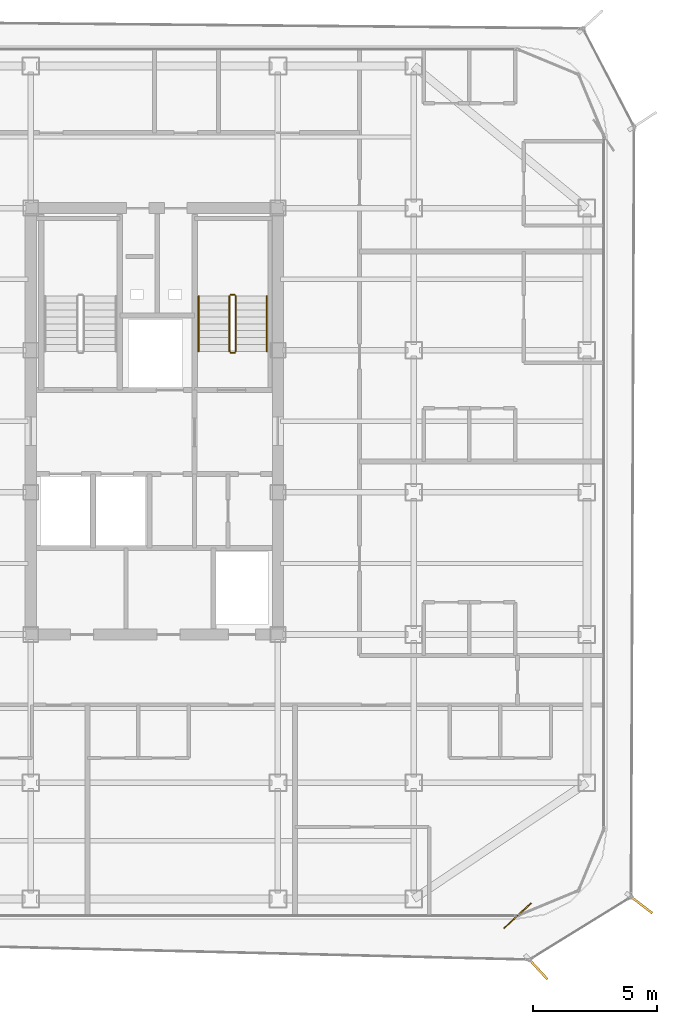
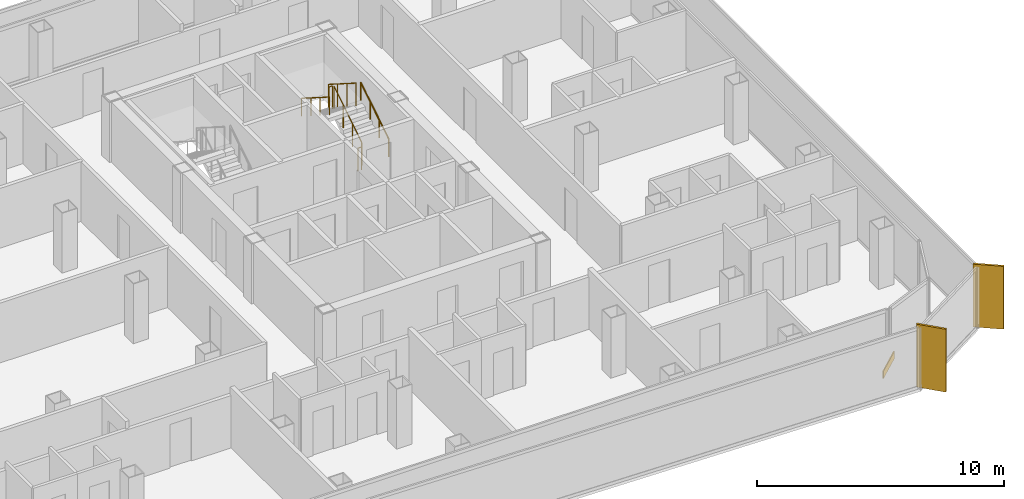
# One storey, part 14 of 15: 6 railings, 2 shading devices, 1 covering.
"""IFC4 building model written with IfcOpenShell, lengths in metres."""

from ifc_helpers import new_model, si_unit, direction, frame, origin, origin_2d, place, context, subcontext, project, spatial, rectangle, circle, extrude, source, transform, mapped, material, layer, layer_set, type_object, element, save


model = new_model("IFC4")

# Units and contexts
model_context = context("Model", 3, precision=1e-05, world=origin(), true_north=direction((0.0, 1.0)))
body_context = subcontext(model_context, "Body", "Model", "MODEL_VIEW")
ifc_project = project(units=[si_unit("LENGTHUNIT", "METRE"), si_unit("AREAUNIT", "SQUARE_METRE"), si_unit("VOLUMEUNIT", "CUBIC_METRE"), si_unit("PLANEANGLEUNIT", "RADIAN"), si_unit("MASSUNIT", "GRAM", prefix="KILO")], contexts=[model_context])

# Site, building, storey
site_placement = place(None, origin())
site = spatial("IfcSite", under=ifc_project, at=site_placement, CompositionType="ELEMENT")
building_placement = place(site_placement, origin())
building = spatial("IfcBuilding", under=site, at=building_placement, Name="Kolveth Station Tower", CompositionType="ELEMENT")
storey_placement = place(building_placement, frame((0.0, 0.0, 165.699951171875)))
storey = spatial("IfcBuildingStorey", under=building, at=storey_placement, Name="L46", CompositionType="ELEMENT", Elevation=165.699951171875)

# Railings
ifc_material_1 = material(Name="Painted Steel S355 balustrade", Category="steel")
railing_type_1 = type_object("IfcRailingType", Name="Guard_GR2", PredefinedType="BALUSTRADE", material=ifc_material_1)
railing_1_placement = place(storey_placement, frame((26.800048828125, 22.949951171875, 0.177734375)))
element("IfcRailing", 1, at=railing_1_placement, inside=storey, type_object=railing_type_1, Name="L46 ST2 stair guard 1", PredefinedType="BALUSTRADE", context=body_context, shape_type="SweptSolid", body=[
    extrude(circle(Radius=0.02392578125, at=origin_2d()), frame((0.0, 0.0, 1.1259765625), z_axis=(0.0, 0.84418770128, 0.536047689118), x_axis=(-1.0, 0.0, 0.0)), (0.0, 0.0, 1.0), 2.6533203125),
    extrude(circle(Radius=0.02099609375, at=origin_2d()), origin(), (0.0, 0.0, 1.0), 1.101806640625),
    extrude(circle(Radius=0.02099609375, at=origin_2d()), frame((0.0, 0.74658203125, 0.47412109375)), (0.0, 0.0, 1.0), 1.101806640625),
    extrude(circle(Radius=0.02099609375, at=origin_2d()), frame((0.0, 1.493408203125, 0.9482421875)), (0.0, 0.0, 1.0), 1.101806640625),
    extrude(circle(Radius=0.02099609375, at=origin_2d()), frame((0.0, 2.239990234375, 1.42236328125)), (0.0, 0.0, 1.0), 1.101806640625),
])
railing_2_placement = place(storey_placement, frame((26.75, 25.239990234375, 1.60009765625)))
element("IfcRailing", 2, at=railing_2_placement, inside=storey, type_object=railing_type_1, Name="L46 ST2 stair guard 2", PredefinedType="BALUSTRADE", context=body_context, shape_type="SweptSolid", body=[
    extrude(circle(Radius=0.02392578125, at=origin_2d()), frame((0.0, 0.0, 1.1259765625), z_axis=(-1.0, 0.0, 0.0), x_axis=(0.0, -1.0, 0.0)), (0.0, 0.0, 1.0), 0.159912109375),
    extrude(circle(Radius=0.02099609375, at=origin_2d()), origin(), (0.0, 0.0, 1.0), 1.101806640625),
    extrude(circle(Radius=0.02099609375, at=origin_2d()), frame((-0.159912109375, 0.0, 0.0)), (0.0, 0.0, 1.0), 1.101806640625),
])
railing_3_placement = place(storey_placement, frame((26.5400390625, 25.18994140625, 1.77783203125)))
element("IfcRailing", 3, at=railing_3_placement, inside=storey, type_object=railing_type_1, Name="L46 ST2 stair guard 3", PredefinedType="BALUSTRADE", context=body_context, shape_type="SweptSolid", body=[
    extrude(circle(Radius=0.02392578125, at=origin_2d()), frame((0.0, 0.0, 1.1259765625), z_axis=(0.0, -0.8442293374, 0.53598211339), x_axis=(1.0, 0.0, 0.0)), (0.0, 0.0, 1.0), 2.6533203125),
    extrude(circle(Radius=0.02099609375, at=origin_2d()), origin(), (0.0, 0.0, 1.0), 1.101806640625),
    extrude(circle(Radius=0.02099609375, at=origin_2d()), frame((0.0, -0.74658203125, 0.47412109375)), (0.0, 0.0, 1.0), 1.101806640625),
    extrude(circle(Radius=0.02099609375, at=origin_2d()), frame((0.0, -1.493408203125, 0.947998046875)), (0.0, 0.0, 1.0), 1.101806640625),
    extrude(circle(Radius=0.02099609375, at=origin_2d()), frame((0.0, -2.239990234375, 1.422119140625)), (0.0, 0.0, 1.0), 1.101806640625),
])
railing_4_placement = place(storey_placement, frame((26.75, 22.89990234375, 0.0)))
element("IfcRailing", 4, at=railing_4_placement, inside=storey, type_object=railing_type_1, Name="L46 ST2 stair guard 4", PredefinedType="BALUSTRADE", context=body_context, shape_type="SweptSolid", body=[
    extrude(circle(Radius=0.02392578125, at=origin_2d()), frame((0.0, 0.0, 1.1259765625), z_axis=(-1.0, 0.0, 0.0), x_axis=(0.0, -1.0, 0.0)), (0.0, 0.0, 1.0), 0.159912109375),
    extrude(circle(Radius=0.02099609375, at=origin_2d()), origin(), (0.0, 0.0, 1.0), 1.101806640625),
    extrude(circle(Radius=0.02099609375, at=origin_2d()), frame((-0.159912109375, 0.0, 0.0)), (0.0, 0.0, 1.0), 1.101806640625),
])
ifc_material_2 = material(Name="Brushed stainless steel", Category="steel")
railing_type_2 = type_object("IfcRailingType", Name="Handrail_HR1", PredefinedType="HANDRAIL", material=ifc_material_2)
railing_5_placement = place(storey_placement, frame((28.050048828125, 22.949951171875, 0.177734375)))
element("IfcRailing", 5, at=railing_5_placement, inside=storey, type_object=railing_type_2, Name="L46 ST2 stair handrail 1", PredefinedType="HANDRAIL", context=body_context, shape_type="SweptSolid", body=[
    extrude(circle(Radius=0.02392578125, at=origin_2d()), frame((0.0, 0.0, 0.8759765625), z_axis=(0.0, 0.84418770128, 0.536047689118), x_axis=(-1.0, 0.0, 0.0)), (0.0, 0.0, 1.0), 2.6533203125),
    extrude(circle(Radius=0.02099609375, at=origin_2d()), origin(), (0.0, 0.0, 1.0), 0.851806640625),
    extrude(circle(Radius=0.02099609375, at=origin_2d()), frame((0.0, 0.74658203125, 0.47412109375)), (0.0, 0.0, 1.0), 0.851806640625),
    extrude(circle(Radius=0.02099609375, at=origin_2d()), frame((0.0, 1.493408203125, 0.9482421875)), (0.0, 0.0, 1.0), 0.851806640625),
    extrude(circle(Radius=0.02099609375, at=origin_2d()), frame((0.0, 2.239990234375, 1.42236328125)), (0.0, 0.0, 1.0), 0.851806640625),
])
railing_6_placement = place(storey_placement, frame((25.2900390625, 25.18994140625, 1.77783203125)))
element("IfcRailing", 6, at=railing_6_placement, inside=storey, type_object=railing_type_2, Name="L46 ST2 stair handrail 2", PredefinedType="HANDRAIL", context=body_context, shape_type="SweptSolid", body=[
    extrude(circle(Radius=0.02392578125, at=origin_2d()), frame((0.0, 0.0, 0.8759765625), z_axis=(0.0, -0.8442293374, 0.53598211339), x_axis=(1.0, 0.0, 0.0)), (0.0, 0.0, 1.0), 2.6533203125),
    extrude(circle(Radius=0.02099609375, at=origin_2d()), origin(), (0.0, 0.0, 1.0), 0.851806640625),
    extrude(circle(Radius=0.02099609375, at=origin_2d()), frame((0.0, -0.74658203125, 0.47412109375)), (0.0, 0.0, 1.0), 0.851806640625),
    extrude(circle(Radius=0.02099609375, at=origin_2d()), frame((0.0, -1.493408203125, 0.947998046875)), (0.0, 0.0, 1.0), 0.851806640625),
    extrude(circle(Radius=0.02099609375, at=origin_2d()), frame((0.0, -2.239990234375, 1.422119140625)), (0.0, 0.0, 1.0), 0.851806640625),
])

# Shading devices
ifc_material_3 = material(Name="Black anodized aluminium 6063-T6", Category="aluminium")
shading_device_type = type_object("IfcShadingDeviceType", Name="FIN_VF1", PredefinedType="USERDEFINED", material=ifc_material_3)
shared_shape_1 = source(origin(), body_context, "Body", "SweptSolid", [
    extrude(rectangle(XDim=1.25, YDim=0.090087890625, at=origin_2d()), origin(), (0.0, 0.0, 1.0), 3.10009765625),
])
for number, where, z_axis, x_axis, name in (
    (7, (38.985107421875, -1.991943359375, 0.0), (0.0, 0.0, 1.0), (0.677389697402, -0.735624359204, 0.0), "L46 Dark-Aluminium Solar Fin 1"),
    (8, (43.153076171875, 0.60498046875, 0.0), (0.0, 0.0, 1.0), (0.793884282702, -0.608068865901, 0.0), "L46 Dark-Aluminium Solar Fin 2"),
):
    element("IfcShadingDevice", number, at=place(storey_placement, frame(where, z_axis=z_axis, x_axis=x_axis)), inside=storey, type_object=shading_device_type, Name=name, ObjectType="FIN", PredefinedType="USERDEFINED", context=body_context, shape_type="MappedRepresentation", body=[
        mapped(shared_shape_1, transform((0.0, 0.0, 0.0), x_axis=(1.0, 0.0, 0.0), y_axis=(0.0, 1.0, 0.0), z_axis=(0.0, 0.0, 1.0), scale=1.0)),
    ])

# Covering
ifc_material_4 = material(Name="Charcoal anodized aluminium spandrel cladding", Category="aluminium")
ifc_layer = layer(ifc_material_4, 0.044921875)
ifc_layer_set = layer_set([ifc_layer], Name="Charcoal anodized aluminium spandrel cladding")
covering_type = type_object("IfcCoveringType", Name="Clad_CD1", PredefinedType="CLADDING", material=ifc_layer_set)
shared_shape_2 = source(origin(), body_context, "Body", "SweptSolid", [
    extrude(rectangle(XDim=1.5, YDim=0.044921875, at=origin_2d()), origin(), (0.0, 0.0, 1.0), 0.360107421875),
])
covering_placement = place(storey_placement, frame((38.199951171875, 0.1201171875, 0.0), z_axis=(0.0, 0.0, 1.0), x_axis=(0.735624359204, 0.677389697402, 0.0)))
element("IfcCovering", 9, at=covering_placement, inside=storey, type_object=covering_type, Name="L46 Spandrel Edge Cladding 1", PredefinedType="CLADDING", context=body_context, shape_type="MappedRepresentation", body=[
    mapped(shared_shape_2, transform((0.0, 0.0, 0.0), x_axis=(1.0, 0.0, 0.0), y_axis=(0.0, 1.0, 0.0), z_axis=(0.0, 0.0, 1.0), scale=1.0)),
])

save(model, "model.ifc")
